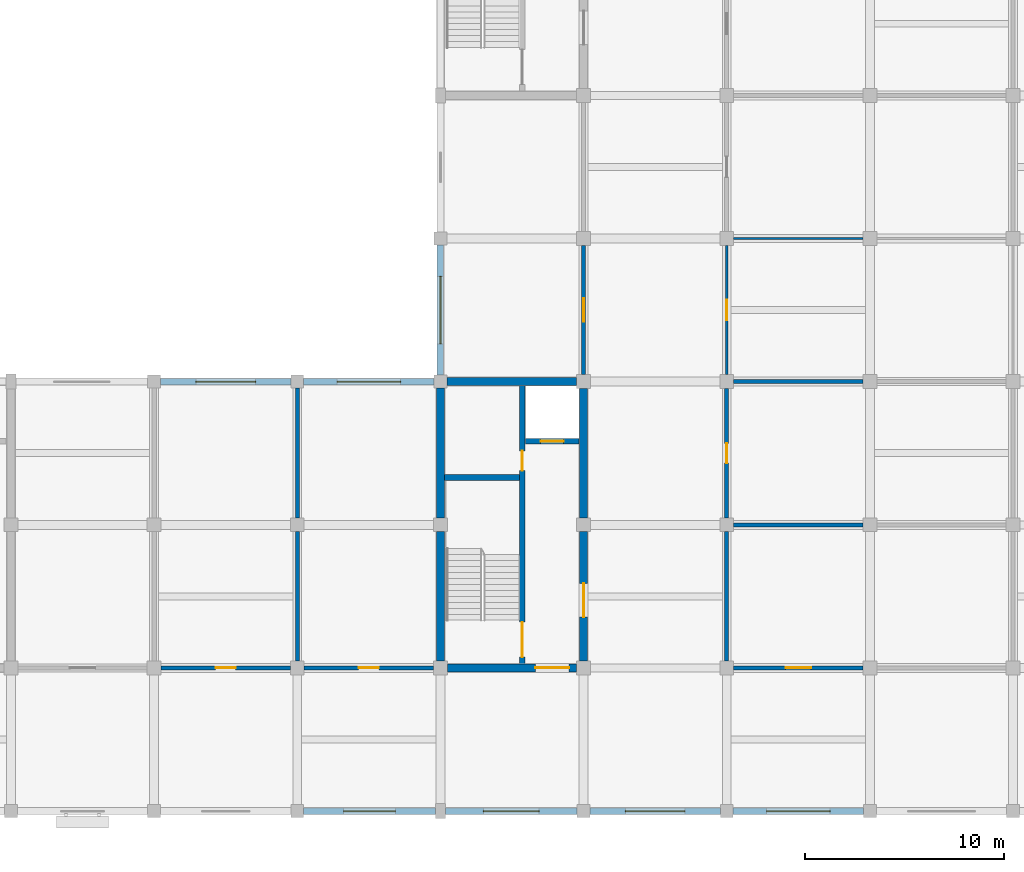
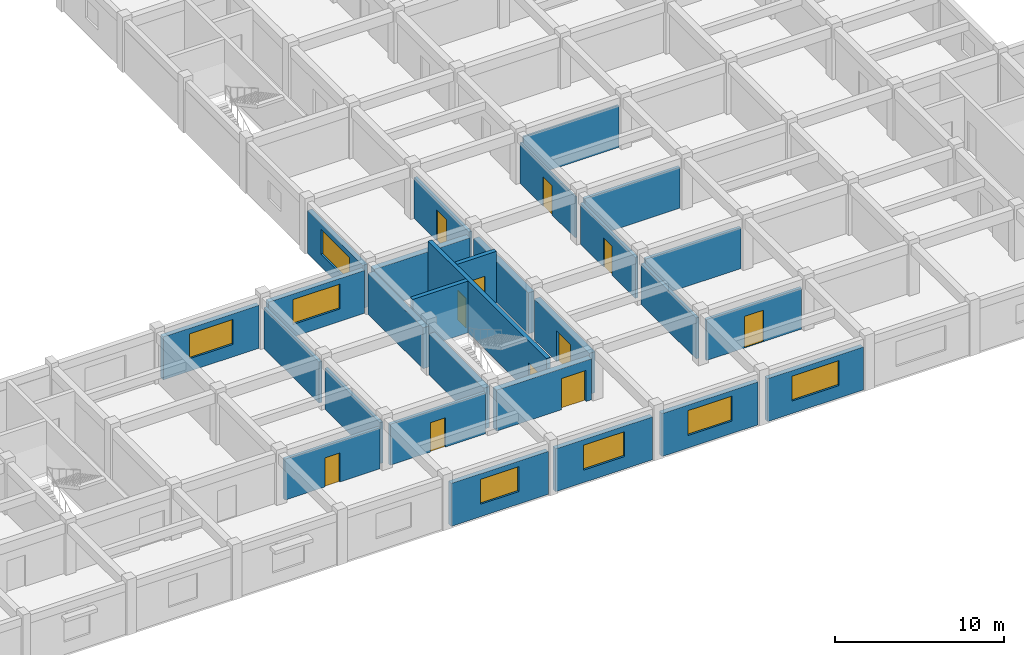
# One storey, part 5 of 11: 28 walls, 11 doors, 7 windows, 18 openings.
"""IFC4 building model written with IfcOpenShell, lengths in metres."""

from ifc_helpers import new_model, si_unit, direction, frame, frame_2d, origin, place, context, subcontext, project, spatial, rectangle, extrude, material, layer, layer_set, type_object, element, fill, save


model = new_model("IFC4")

# Units and contexts
model_context = context("Model", 3, precision=1e-05, world=origin(), true_north=direction((0.0, 1.0)))
body_context = subcontext(model_context, "Body", "Model", "MODEL_VIEW")
ifc_project = project(units=[si_unit("LENGTHUNIT", "METRE"), si_unit("AREAUNIT", "SQUARE_METRE"), si_unit("VOLUMEUNIT", "CUBIC_METRE"), si_unit("PLANEANGLEUNIT", "RADIAN"), si_unit("MASSUNIT", "GRAM", prefix="KILO")], contexts=[model_context])

# Site, building, storey
site_placement = place(None, origin())
site = spatial("IfcSite", under=ifc_project, at=site_placement, CompositionType="ELEMENT")
building_placement = place(site_placement, origin())
building = spatial("IfcBuilding", under=site, at=building_placement, Name="Cendaluz Park School", CompositionType="ELEMENT")
storey_placement = place(building_placement, frame((0.0, 0.0, 26.60009765625)))
storey = spatial("IfcBuildingStorey", under=building, at=storey_placement, Name="L06", CompositionType="ELEMENT", Elevation=26.60009765625)

# Wall, opening, door
ifc_material_1 = material(Name="Gypsum Plasterboard on Cold-Formed Stud", Category="gypsum")
ifc_layer_1 = layer(ifc_material_1, 0.199951171875)
ifc_layer_set_1 = layer_set([ifc_layer_1], Name="Gypsum Plasterboard on Cold-Formed Stud")
wall_type_1 = type_object("IfcWallType", Name="W-AC20", PredefinedType="PARTITIONING", material=ifc_layer_set_1)
wall_1_placement = place(storey_placement, frame((50.75, 14.39990234375, 0.0), z_axis=(0.0, 0.0, 1.0), x_axis=(1.0, 0.0, 0.0)))
wall_1 = element("IfcWall", 1, at=wall_1_placement, inside=storey, type_object=wall_type_1, Name="WL-FG-BO7", PredefinedType="PARTITIONING", context=body_context, shape_type="SweptSolid", body=[
    extrude(rectangle(XDim=6.5, YDim=0.199951171875, at=frame_2d((3.25, 0.0))), origin(), (0.0, 0.0, 1.0), 2.9599609375),
])
opening_1_placement = place(wall_1_placement, frame((2.75, 0.0, 0.0)))
opening_1 = element("IfcOpeningElement", 2, at=opening_1_placement, cuts=wall_1, Name="Opening DCL-01", PredefinedType="OPENING", context=body_context, shape_type="SweptSolid", body=[
    extrude(rectangle(XDim=1.0, YDim=2.10009765625, at=frame_2d((0.5, 1.050048828125))), frame((0.0, 0.112060546875, 0.0), z_axis=(0.0, -1.0, 0.0), x_axis=(1.0, 0.0, 0.0)), (0.0, 0.0, 1.0), 0.223876953125),
])
ifc_material_2 = material(Name="Solid Core Hardwood", Category="wood")
door_type_1 = type_object("IfcDoorType", Name="DCL-01", OperationType="NOTDEFINED", PredefinedType="DOOR", material=ifc_material_2)
door_1_placement = place(opening_1_placement, origin())
door_1 = element("IfcDoor", 3, at=door_1_placement, inside=storey, type_object=door_type_1, Name="D-L06-030", OperationType="SINGLE_SWING_RIGHT", OverallHeight=2.10009765625, OverallWidth=1.0, PredefinedType="DOOR", context=body_context, shape_type="SweptSolid", body=[
    extrude(rectangle(XDim=1.0, YDim=2.10009765625, at=frame_2d((0.5, 1.050048828125))), frame((0.0, 0.02490234375, 0.0), z_axis=(0.0, -1.0, 0.0), x_axis=(1.0, 0.0, 0.0)), (0.0, 0.0, 1.0), 0.050048828125),
])
fill(opening_1, door_1)

# Walls
wall_2_placement = place(storey_placement, frame((57.60009765625, 14.75, 0.0), z_axis=(0.0, 0.0, 1.0), x_axis=(0.0, 1.0, 0.0)))
element("IfcWall", 4, at=wall_2_placement, inside=storey, type_object=wall_type_1, Name="WL-FG-BO8", PredefinedType="PARTITIONING", context=body_context, shape_type="SweptSolid", body=[
    extrude(rectangle(XDim=6.5, YDim=0.199951171875, at=frame_2d((3.25, 0.0))), origin(), (0.0, 0.0, 1.0), 2.9599609375),
])
wall_3_placement = place(storey_placement, frame((57.60009765625, 21.949951171875, 0.0), z_axis=(0.0, 0.0, 1.0), x_axis=(0.0, 1.0, 0.0)))
element("IfcWall", 5, at=wall_3_placement, inside=storey, type_object=wall_type_1, Name="WL-FG-BO9", PredefinedType="PARTITIONING", context=body_context, shape_type="SweptSolid", body=[
    extrude(rectangle(XDim=6.525146484375, YDim=0.199951171875, at=frame_2d((3.2626953125, 0.0))), origin(), (0.0, 0.0, 1.0), 2.9599609375),
])

# Wall, opening, door
wall_4_placement = place(storey_placement, frame((57.949951171875, 14.39990234375, 0.0), z_axis=(0.0, 0.0, 1.0), x_axis=(1.0, 0.0, 0.0)))
wall_4 = element("IfcWall", 6, at=wall_4_placement, inside=storey, type_object=wall_type_1, Name="WL-FG-BP0", PredefinedType="PARTITIONING", context=body_context, shape_type="SweptSolid", body=[
    extrude(rectangle(XDim=6.5, YDim=0.199951171875, at=frame_2d((3.25, 0.0))), origin(), (0.0, 0.0, 1.0), 2.9599609375),
])
opening_2_placement = place(wall_4_placement, frame((2.739990234375, 0.0, 0.0)))
opening_2 = element("IfcOpeningElement", 7, at=opening_2_placement, cuts=wall_4, Name="Opening DCL-02", PredefinedType="OPENING", context=body_context, shape_type="SweptSolid", body=[
    extrude(rectangle(XDim=1.02001953125, YDim=2.1201171875, at=frame_2d((0.510009765625, 1.06005859375))), frame((0.0, 0.112060546875, 0.0), z_axis=(0.0, -1.0, 0.0), x_axis=(1.0, 0.0, 0.0)), (0.0, 0.0, 1.0), 0.223876953125),
])
door_type_2 = type_object("IfcDoorType", Name="DCL-02", OperationType="NOTDEFINED", PredefinedType="DOOR", material=ifc_material_2)
door_2_placement = place(opening_2_placement, origin())
door_2 = element("IfcDoor", 8, at=door_2_placement, inside=storey, type_object=door_type_2, Name="D-L06-031", OperationType="SINGLE_SWING_LEFT", OverallHeight=2.1201171875, OverallWidth=1.02001953125, PredefinedType="DOOR", context=body_context, shape_type="SweptSolid", body=[
    extrude(rectangle(XDim=1.02001953125, YDim=2.1201171875, at=frame_2d((0.510009765625, 1.06005859375))), frame((0.0, 0.02490234375, 0.0), z_axis=(0.0, -1.0, 0.0), x_axis=(1.0, 0.0, 0.0)), (0.0, 0.0, 1.0), 0.050048828125),
])
fill(opening_2, door_2)

wall_5_placement = place(storey_placement, frame((72.0, 29.14990234375, 0.0), z_axis=(0.0, 0.0, 1.0), x_axis=(0.0, 1.0, 0.0)))
wall_5 = element("IfcWall", 9, at=wall_5_placement, inside=storey, type_object=wall_type_1, Name="WL-FG-BQ2", PredefinedType="PARTITIONING", context=body_context, shape_type="SweptSolid", body=[
    extrude(rectangle(XDim=6.5, YDim=0.199951171875, at=frame_2d((3.25, 0.0))), origin(), (0.0, 0.0, 1.0), 2.9599609375),
])
opening_3_placement = place(wall_5_placement, frame((2.64990234375, 0.0, 0.0)))
opening_3 = element("IfcOpeningElement", 10, at=opening_3_placement, cuts=wall_5, Name="Opening DCL-08", PredefinedType="OPENING", context=body_context, shape_type="SweptSolid", body=[
    extrude(rectangle(XDim=1.199951171875, YDim=2.239990234375, at=frame_2d((0.60009765625, 1.1201171875))), frame((0.0, 0.112060546875, 0.0), z_axis=(0.0, -1.0, 0.0), x_axis=(1.0, 0.0, 0.0)), (0.0, 0.0, 1.0), 0.223876953125),
])
door_type_3 = type_object("IfcDoorType", Name="DCL-08", OperationType="NOTDEFINED", PredefinedType="DOOR", material=ifc_material_2)
door_3_placement = place(opening_3_placement, origin())
door_3 = element("IfcDoor", 11, at=door_3_placement, inside=storey, type_object=door_type_3, Name="D-L06-037", OperationType="SINGLE_SWING_LEFT", OverallHeight=2.239990234375, OverallWidth=1.199951171875, PredefinedType="DOOR", context=body_context, shape_type="SweptSolid", body=[
    extrude(rectangle(XDim=1.199951171875, YDim=2.239990234375, at=frame_2d((0.60009765625, 1.1201171875))), frame((0.0, 0.02490234375, 0.0), z_axis=(0.0, -1.0, 0.0), x_axis=(1.0, 0.0, 0.0)), (0.0, 0.0, 1.0), 0.050048828125),
])
fill(opening_3, door_3)

wall_6_placement = place(storey_placement, frame((79.550048828125, 14.39990234375, 0.0), z_axis=(0.0, 0.0, 1.0), x_axis=(1.0, 0.0, 0.0)))
wall_6 = element("IfcWall", 12, at=wall_6_placement, inside=storey, type_object=wall_type_1, Name="WL-FG-BQ5", PredefinedType="PARTITIONING", context=body_context, shape_type="SweptSolid", body=[
    extrude(rectangle(XDim=6.5, YDim=0.199951171875, at=frame_2d((3.25, 0.0))), origin(), (0.0, 0.0, 1.0), 2.9599609375),
])
opening_4_placement = place(wall_6_placement, frame((2.610107421875, 0.0, 0.0)))
opening_4 = element("IfcOpeningElement", 13, at=opening_4_placement, cuts=wall_6, Name="Opening DCL-10", PredefinedType="OPENING", context=body_context, shape_type="SweptSolid", body=[
    extrude(rectangle(XDim=1.280029296875, YDim=2.280029296875, at=frame_2d((0.64013671875, 1.14013671875))), frame((0.0, 0.112060546875, 0.0), z_axis=(0.0, -1.0, 0.0), x_axis=(1.0, 0.0, 0.0)), (0.0, 0.0, 1.0), 0.223876953125),
])
door_type_4 = type_object("IfcDoorType", Name="DCL-10", OperationType="NOTDEFINED", PredefinedType="DOOR", material=ifc_material_2)
door_4_placement = place(opening_4_placement, origin())
door_4 = element("IfcDoor", 14, at=door_4_placement, inside=storey, type_object=door_type_4, Name="D-L06-039", OperationType="SINGLE_SWING_LEFT", OverallHeight=2.280029296875, OverallWidth=1.280029296875, PredefinedType="DOOR", context=body_context, shape_type="SweptSolid", body=[
    extrude(rectangle(XDim=1.280029296875, YDim=2.280029296875, at=frame_2d((0.64013671875, 1.14013671875))), frame((0.0, 0.02490234375, 0.0), z_axis=(0.0, -1.0, 0.0), x_axis=(1.0, 0.0, 0.0)), (0.0, 0.0, 1.0), 0.050048828125),
])
fill(opening_4, door_4)

# Walls
for number, where, z_axis, x_axis, name in (
    (15, (79.550048828125, 21.60009765625, 0.0), (0.0, 0.0, 1.0), (1.0, 0.0, 0.0), "WL-FG-BQ6"),
    (16, (79.199951171875, 14.75, 0.0), (0.0, 0.0, 1.0), (0.0, 1.0, 0.0), "WL-FG-BQ7"),
    (17, (79.550048828125, 28.800048828125, 0.0), (0.0, 0.0, 1.0), (1.0, 0.0, 0.0), "WL-FG-BR1"),
):
    element("IfcWall", number, at=place(storey_placement, frame(where, z_axis=z_axis, x_axis=x_axis)), inside=storey, type_object=wall_type_1, Name=name, PredefinedType="PARTITIONING", context=body_context, shape_type="SweptSolid", body=[
        extrude(rectangle(XDim=6.5, YDim=0.199951171875, at=frame_2d((3.25, 0.0))), origin(), (0.0, 0.0, 1.0), 2.9599609375),
    ])

# Wall, opening, door
wall_7_placement = place(storey_placement, frame((79.199951171875, 21.949951171875, 0.0), z_axis=(0.0, 0.0, 1.0), x_axis=(0.0, 1.0, 0.0)))
wall_7 = element("IfcWall", 18, at=wall_7_placement, inside=storey, type_object=wall_type_1, Name="WL-FG-BR2", PredefinedType="PARTITIONING", context=body_context, shape_type="SweptSolid", body=[
    extrude(rectangle(XDim=6.5, YDim=0.199951171875, at=frame_2d((3.25, 0.0))), origin(), (0.0, 0.0, 1.0), 2.9599609375),
])
opening_5_placement = place(wall_7_placement, frame((2.75, 0.0, 0.0)))
opening_5 = element("IfcOpeningElement", 19, at=opening_5_placement, cuts=wall_7, Name="Opening DCL-01", PredefinedType="OPENING", context=body_context, shape_type="SweptSolid", body=[
    extrude(rectangle(XDim=1.0, YDim=2.10009765625, at=frame_2d((0.5, 1.050048828125))), frame((0.0, 0.112060546875, 0.0), z_axis=(0.0, -1.0, 0.0), x_axis=(1.0, 0.0, 0.0)), (0.0, 0.0, 1.0), 0.223876953125),
])
door_5_placement = place(opening_5_placement, frame((1.0, 0.0, 0.0), z_axis=(0.0, 0.0, 1.0), x_axis=(-1.0, 0.0, 0.0)))
door_5 = element("IfcDoor", 20, at=door_5_placement, inside=storey, type_object=door_type_1, Name="D-L06-040", OperationType="SINGLE_SWING_RIGHT", OverallHeight=2.10009765625, OverallWidth=1.0, PredefinedType="DOOR", context=body_context, shape_type="SweptSolid", body=[
    extrude(rectangle(XDim=1.0, YDim=2.10009765625, at=frame_2d((0.5, 1.050048828125))), frame((0.0, 0.02490234375, 0.0), z_axis=(0.0, -1.0, 0.0), x_axis=(1.0, 0.0, 0.0)), (0.0, 0.0, 1.0), 0.050048828125),
])
fill(opening_5, door_5)

# Wall, opening, window
ifc_material_3 = material(Name="Concrete C40/50 precast", Category="concrete")
ifc_layer_2 = layer(ifc_material_3, 0.320068359375)
ifc_layer_set_2 = layer_set([ifc_layer_2], Name="Concrete C40/50 precast")
wall_type_2 = type_object("IfcWallType", Name="W-EX32", PredefinedType="SOLIDWALL", material=ifc_layer_set_2)
wall_8_placement = place(storey_placement, frame((50.72509765625, 28.800048828125, 0.0), z_axis=(0.0, 0.0, 1.0), x_axis=(1.0, 0.0, 0.0)))
wall_8 = element("IfcWall", 21, at=wall_8_placement, inside=storey, type_object=wall_type_2, Name="WL-FG-AB1", PredefinedType="SOLIDWALL", context=body_context, shape_type="SweptSolid", body=[
    extrude(rectangle(XDim=6.5498046875, YDim=0.320068359375, at=frame_2d((3.27490234375, 0.0))), origin(), (0.0, 0.0, 1.0), 3.099853515625),
])
opening_6_placement = place(wall_8_placement, frame((1.77490234375, 0.0, 0.89990234375)))
opening_6 = element("IfcOpeningElement", 22, at=opening_6_placement, cuts=wall_8, Name="Opening WN-07", PredefinedType="OPENING", context=body_context, shape_type="SweptSolid", body=[
    extrude(rectangle(XDim=3.0, YDim=1.800048828125, at=frame_2d((1.5, 0.89990234375))), frame((0.0, 0.172119140625, 0.0), z_axis=(0.0, -1.0, 0.0), x_axis=(1.0, 0.0, 0.0)), (0.0, 0.0, 1.0), 0.343994140625),
])
ifc_material_4 = material(Name="Tempered Low-E Double Glazing", Category="glass")
window_type_1 = type_object("IfcWindowType", Name="WN-07", PartitioningType="SINGLE_PANEL", PredefinedType="WINDOW", material=ifc_material_4)
window_1_placement = place(opening_6_placement, origin())
window_1 = element("IfcWindow", 23, at=window_1_placement, inside=storey, type_object=window_type_1, Name="WN-L06-012", OverallHeight=1.800048828125, OverallWidth=3.0, PartitioningType="SINGLE_PANEL", PredefinedType="WINDOW", context=body_context, shape_type="SweptSolid", body=[
    extrude(rectangle(XDim=3.0, YDim=1.800048828125, at=frame_2d((1.5, 0.89990234375))), frame((0.0, 0.030029296875, 0.0), z_axis=(0.0, -1.0, 0.0), x_axis=(1.0, 0.0, 0.0)), (0.0, 0.0, 1.0), 0.06005859375),
])
fill(opening_6, window_1)

wall_9_placement = place(storey_placement, frame((57.925048828125, 7.199951171875, 0.0), z_axis=(0.0, 0.0, 1.0), x_axis=(1.0, 0.0, 0.0)))
wall_9 = element("IfcWall", 24, at=wall_9_placement, inside=storey, type_object=wall_type_2, Name="WL-FG-AB2", PredefinedType="SOLIDWALL", context=body_context, shape_type="SweptSolid", body=[
    extrude(rectangle(XDim=6.625, YDim=0.320068359375, at=frame_2d((3.3125, 0.0))), origin(), (0.0, 0.0, 1.0), 3.099853515625),
])
opening_7_placement = place(wall_9_placement, frame((2.012451171875, 0.0, 0.89990234375)))
opening_7 = element("IfcOpeningElement", 25, at=opening_7_placement, cuts=wall_9, Name="Opening WN-05", PredefinedType="OPENING", context=body_context, shape_type="SweptSolid", body=[
    extrude(rectangle(XDim=2.60009765625, YDim=1.800048828125, at=frame_2d((1.300048828125, 0.89990234375))), frame((0.0, 0.172119140625, 0.0), z_axis=(0.0, -1.0, 0.0), x_axis=(1.0, 0.0, 0.0)), (0.0, 0.0, 1.0), 0.343994140625),
])
window_type_2 = type_object("IfcWindowType", Name="WN-05", PartitioningType="SINGLE_PANEL", PredefinedType="WINDOW", material=ifc_material_4)
window_2_placement = place(opening_7_placement, origin())
window_2 = element("IfcWindow", 26, at=window_2_placement, inside=storey, type_object=window_type_2, Name="WN-L06-013", OverallHeight=1.800048828125, OverallWidth=2.60009765625, PartitioningType="SINGLE_PANEL", PredefinedType="WINDOW", context=body_context, shape_type="SweptSolid", body=[
    extrude(rectangle(XDim=2.60009765625, YDim=1.800048828125, at=frame_2d((1.300048828125, 0.89990234375))), frame((0.0, 0.030029296875, 0.0), z_axis=(0.0, -1.0, 0.0), x_axis=(1.0, 0.0, 0.0)), (0.0, 0.0, 1.0), 0.06005859375),
])
fill(opening_7, window_2)

wall_10_placement = place(storey_placement, frame((57.925048828125, 28.800048828125, 0.0), z_axis=(0.0, 0.0, 1.0), x_axis=(1.0, 0.0, 0.0)))
wall_10 = element("IfcWall", 27, at=wall_10_placement, inside=storey, type_object=wall_type_2, Name="WL-FG-AB3", PredefinedType="SOLIDWALL", context=body_context, shape_type="SweptSolid", body=[
    extrude(rectangle(XDim=6.550048828125, YDim=0.320068359375, at=frame_2d((3.27490234375, 0.0))), origin(), (0.0, 0.0, 1.0), 3.099853515625),
])
opening_8_placement = place(wall_10_placement, frame((1.675048828125, 0.0, 0.89990234375)))
opening_8 = element("IfcOpeningElement", 28, at=opening_8_placement, cuts=wall_10, Name="Opening WN-08", PredefinedType="OPENING", context=body_context, shape_type="SweptSolid", body=[
    extrude(rectangle(XDim=3.199951171875, YDim=1.800048828125, at=frame_2d((1.60009765625, 0.89990234375))), frame((0.0, 0.172119140625, 0.0), z_axis=(0.0, -1.0, 0.0), x_axis=(1.0, 0.0, 0.0)), (0.0, 0.0, 1.0), 0.343994140625),
])
window_type_3 = type_object("IfcWindowType", Name="WN-08", PartitioningType="SINGLE_PANEL", PredefinedType="WINDOW", material=ifc_material_4)
window_3_placement = place(opening_8_placement, origin())
window_3 = element("IfcWindow", 29, at=window_3_placement, inside=storey, type_object=window_type_3, Name="WN-L06-014", OverallHeight=1.800048828125, OverallWidth=3.199951171875, PartitioningType="SINGLE_PANEL", PredefinedType="WINDOW", context=body_context, shape_type="SweptSolid", body=[
    extrude(rectangle(XDim=3.199951171875, YDim=1.800048828125, at=frame_2d((1.60009765625, 0.89990234375))), frame((0.0, 0.030029296875, 0.0), z_axis=(0.0, -1.0, 0.0), x_axis=(1.0, 0.0, 0.0)), (0.0, 0.0, 1.0), 0.06005859375),
])
fill(opening_8, window_3)

wall_11_placement = place(storey_placement, frame((65.050048828125, 7.199951171875, 0.0), z_axis=(0.0, 0.0, 1.0), x_axis=(1.0, 0.0, 0.0)))
wall_11 = element("IfcWall", 30, at=wall_11_placement, inside=storey, type_object=wall_type_2, Name="WL-FG-AB4", PredefinedType="SOLIDWALL", context=body_context, shape_type="SweptSolid", body=[
    extrude(rectangle(XDim=6.625, YDim=0.320068359375, at=frame_2d((3.3125, 0.0))), origin(), (0.0, 0.0, 1.0), 3.099853515625),
])
opening_9_placement = place(wall_11_placement, frame((1.91259765625, 0.0, 0.89990234375)))
opening_9 = element("IfcOpeningElement", 31, at=opening_9_placement, cuts=wall_11, Name="Opening WN-06", PredefinedType="OPENING", context=body_context, shape_type="SweptSolid", body=[
    extrude(rectangle(XDim=2.800048828125, YDim=1.800048828125, at=frame_2d((1.39990234375, 0.89990234375))), frame((0.0, 0.172119140625, 0.0), z_axis=(0.0, -1.0, 0.0), x_axis=(1.0, 0.0, 0.0)), (0.0, 0.0, 1.0), 0.343994140625),
])
window_type_4 = type_object("IfcWindowType", Name="WN-06", PartitioningType="SINGLE_PANEL", PredefinedType="WINDOW", material=ifc_material_4)
window_4_placement = place(opening_9_placement, origin())
window_4 = element("IfcWindow", 32, at=window_4_placement, inside=storey, type_object=window_type_4, Name="WN-L06-015", OverallHeight=1.800048828125, OverallWidth=2.800048828125, PartitioningType="SINGLE_PANEL", PredefinedType="WINDOW", context=body_context, shape_type="SweptSolid", body=[
    extrude(rectangle(XDim=2.800048828125, YDim=1.800048828125, at=frame_2d((1.39990234375, 0.89990234375))), frame((0.0, 0.030029296875, 0.0), z_axis=(0.0, -1.0, 0.0), x_axis=(1.0, 0.0, 0.0)), (0.0, 0.0, 1.0), 0.06005859375),
])
fill(opening_9, window_4)

wall_12_placement = place(storey_placement, frame((64.800048828125, 29.125, 0.0), z_axis=(0.0, 0.0, 1.0), x_axis=(0.0, 1.0, 0.0)))
wall_12 = element("IfcWall", 33, at=wall_12_placement, inside=storey, type_object=wall_type_2, Name="WL-FG-AB5", PredefinedType="SOLIDWALL", context=body_context, shape_type="SweptSolid", body=[
    extrude(rectangle(XDim=6.550048828125, YDim=0.320068359375, at=frame_2d((3.27490234375, 0.0))), origin(), (0.0, 0.0, 1.0), 3.099853515625),
])
opening_10_placement = place(wall_12_placement, frame((1.574951171875, 0.0, 0.89990234375)))
opening_10 = element("IfcOpeningElement", 34, at=opening_10_placement, cuts=wall_12, Name="Opening WN-09", PredefinedType="OPENING", context=body_context, shape_type="SweptSolid", body=[
    extrude(rectangle(XDim=3.39990234375, YDim=1.800048828125, at=frame_2d((1.699951171875, 0.89990234375))), frame((0.0, 0.172119140625, 0.0), z_axis=(0.0, -1.0, 0.0), x_axis=(1.0, 0.0, 0.0)), (0.0, 0.0, 1.0), 0.343994140625),
])
window_type_5 = type_object("IfcWindowType", Name="WN-09", PartitioningType="SINGLE_PANEL", PredefinedType="WINDOW", material=ifc_material_4)
window_5_placement = place(opening_10_placement, origin())
window_5 = element("IfcWindow", 35, at=window_5_placement, inside=storey, type_object=window_type_5, Name="WN-L06-016", OverallHeight=1.800048828125, OverallWidth=3.39990234375, PartitioningType="SINGLE_PANEL", PredefinedType="WINDOW", context=body_context, shape_type="SweptSolid", body=[
    extrude(rectangle(XDim=3.39990234375, YDim=1.800048828125, at=frame_2d((1.699951171875, 0.89990234375))), frame((0.0, 0.030029296875, 0.0), z_axis=(0.0, -1.0, 0.0), x_axis=(1.0, 0.0, 0.0)), (0.0, 0.0, 1.0), 0.06005859375),
])
fill(opening_10, window_5)

wall_13_placement = place(storey_placement, frame((72.324951171875, 7.199951171875, 0.0), z_axis=(0.0, 0.0, 1.0), x_axis=(1.0, 0.0, 0.0)))
wall_13 = element("IfcWall", 36, at=wall_13_placement, inside=storey, type_object=wall_type_2, Name="WL-FG-AB9", PredefinedType="SOLIDWALL", context=body_context, shape_type="SweptSolid", body=[
    extrude(rectangle(XDim=6.550048828125, YDim=0.320068359375, at=frame_2d((3.27490234375, 0.0))), origin(), (0.0, 0.0, 1.0), 3.099853515625),
])
opening_11_placement = place(wall_13_placement, frame((1.77490234375, 0.0, 0.89990234375)))
opening_11 = element("IfcOpeningElement", 37, at=opening_11_placement, cuts=wall_13, Name="Opening WN-07", PredefinedType="OPENING", context=body_context, shape_type="SweptSolid", body=[
    extrude(rectangle(XDim=3.0, YDim=1.800048828125, at=frame_2d((1.5, 0.89990234375))), frame((0.0, 0.172119140625, 0.0), z_axis=(0.0, -1.0, 0.0), x_axis=(1.0, 0.0, 0.0)), (0.0, 0.0, 1.0), 0.343994140625),
])
window_6_placement = place(opening_11_placement, origin())
window_6 = element("IfcWindow", 38, at=window_6_placement, inside=storey, type_object=window_type_1, Name="WN-L06-020", OverallHeight=1.800048828125, OverallWidth=3.0, PartitioningType="SINGLE_PANEL", PredefinedType="WINDOW", context=body_context, shape_type="SweptSolid", body=[
    extrude(rectangle(XDim=3.0, YDim=1.800048828125, at=frame_2d((1.5, 0.89990234375))), frame((0.0, 0.030029296875, 0.0), z_axis=(0.0, -1.0, 0.0), x_axis=(1.0, 0.0, 0.0)), (0.0, 0.0, 1.0), 0.06005859375),
])
fill(opening_11, window_6)

wall_14_placement = place(storey_placement, frame((79.52490234375, 7.199951171875, 0.0), z_axis=(0.0, 0.0, 1.0), x_axis=(1.0, 0.0, 0.0)))
wall_14 = element("IfcWall", 39, at=wall_14_placement, inside=storey, type_object=wall_type_2, Name="WL-FG-AC1", PredefinedType="SOLIDWALL", context=body_context, shape_type="SweptSolid", body=[
    extrude(rectangle(XDim=6.550048828125, YDim=0.320068359375, at=frame_2d((3.27490234375, 0.0))), origin(), (0.0, 0.0, 1.0), 3.099853515625),
])
opening_12_placement = place(wall_14_placement, frame((1.675048828125, 0.0, 0.89990234375)))
opening_12 = element("IfcOpeningElement", 40, at=opening_12_placement, cuts=wall_14, Name="Opening WN-08", PredefinedType="OPENING", context=body_context, shape_type="SweptSolid", body=[
    extrude(rectangle(XDim=3.199951171875, YDim=1.800048828125, at=frame_2d((1.60009765625, 0.89990234375))), frame((0.0, 0.172119140625, 0.0), z_axis=(0.0, -1.0, 0.0), x_axis=(1.0, 0.0, 0.0)), (0.0, 0.0, 1.0), 0.343994140625),
])
window_7_placement = place(opening_12_placement, origin())
window_7 = element("IfcWindow", 41, at=window_7_placement, inside=storey, type_object=window_type_3, Name="WN-L06-022", OverallHeight=1.800048828125, OverallWidth=3.199951171875, PartitioningType="SINGLE_PANEL", PredefinedType="WINDOW", context=body_context, shape_type="SweptSolid", body=[
    extrude(rectangle(XDim=3.199951171875, YDim=1.800048828125, at=frame_2d((1.60009765625, 0.89990234375))), frame((0.0, 0.030029296875, 0.0), z_axis=(0.0, -1.0, 0.0), x_axis=(1.0, 0.0, 0.0)), (0.0, 0.0, 1.0), 0.06005859375),
])
fill(opening_12, window_7)

# Wall, openings, doors
ifc_material_5 = material(Name="Concrete C40/50", Category="concrete")
ifc_layer_3 = layer(ifc_material_5, 0.280029296875)
ifc_layer_set_3 = layer_set([ifc_layer_3], Name="Concrete C40/50")
wall_type_3 = type_object("IfcWallType", Name="W-FW28", PredefinedType="SHEAR", material=ifc_layer_set_3)
wall_15_placement = place(storey_placement, frame((68.919921875, 14.60009765625, 0.0), z_axis=(0.0, 0.0, 1.0), x_axis=(0.0, 1.0, 0.0)))
wall_15 = element("IfcWall", 42, at=wall_15_placement, inside=storey, type_object=wall_type_3, Name="WL-FG-BJ2", PredefinedType="SHEAR", context=body_context, shape_type="SweptSolid", body=[
    extrude(rectangle(XDim=14.0, YDim=0.280029296875, at=frame_2d((7.0, 0.0))), origin(), (0.0, 0.0, 1.0), 3.72998046875),
])
opening_13_placement = place(wall_15_placement, frame((0.35009765625, 0.0, 0.0)))
opening_13 = element("IfcOpeningElement", 43, at=opening_13_placement, cuts=wall_15, Name="Opening DST-03", PredefinedType="OPENING", context=body_context, shape_type="SweptSolid", body=[
    extrude(rectangle(XDim=1.75, YDim=2.14990234375, at=frame_2d((0.875, 1.074951171875))), frame((0.0, 0.152099609375, 0.0), z_axis=(0.0, -1.0, 0.0), x_axis=(1.0, 0.0, 0.0)), (0.0, 0.0, 1.0), 0.303955078125),
])
opening_14_placement = place(wall_15_placement, frame((9.719970703125, 0.0, 0.0)))
opening_14 = element("IfcOpeningElement", 44, at=opening_14_placement, cuts=wall_15, Name="Opening DFC-01", PredefinedType="OPENING", context=body_context, shape_type="SweptSolid", body=[
    extrude(rectangle(XDim=1.0, YDim=2.14990234375, at=frame_2d((0.5, 1.074951171875))), frame((0.0, 0.152099609375, 0.0), z_axis=(0.0, -1.0, 0.0), x_axis=(1.0, 0.0, 0.0)), (0.0, 0.0, 1.0), 0.303955078125),
])
door_type_5 = type_object("IfcDoorType", Name="DFC-01", OperationType="NOTDEFINED", PredefinedType="DOOR", material=ifc_material_2)
door_6_placement = place(opening_14_placement, origin())
door_6 = element("IfcDoor", 45, at=door_6_placement, inside=storey, type_object=door_type_5, Name="D-L06-004", OperationType="SINGLE_SWING_RIGHT", OverallHeight=2.14990234375, OverallWidth=1.0, PredefinedType="DOOR", context=body_context, shape_type="SweptSolid", body=[
    extrude(rectangle(XDim=1.0, YDim=2.14990234375, at=frame_2d((0.5, 1.074951171875))), frame((0.0, 0.02490234375, 0.0), z_axis=(0.0, -1.0, 0.0), x_axis=(1.0, 0.0, 0.0)), (0.0, 0.0, 1.0), 0.050048828125),
])
fill(opening_14, door_6)
door_type_6 = type_object("IfcDoorType", Name="DST-03", OperationType="DOUBLE_DOOR_SINGLE_SWING", PredefinedType="DOOR", material=ifc_material_2)
door_7_placement = place(opening_13_placement, origin())
door_7 = element("IfcDoor", 46, at=door_7_placement, inside=storey, type_object=door_type_6, Name="D-L06-003", OperationType="DOUBLE_DOOR_SINGLE_SWING", OverallHeight=2.14990234375, OverallWidth=1.75, PredefinedType="DOOR", context=body_context, shape_type="SweptSolid", body=[
    extrude(rectangle(XDim=1.75, YDim=2.14990234375, at=frame_2d((0.875, 1.074951171875))), frame((0.0, 0.02490234375, 0.0), z_axis=(0.0, -1.0, 0.0), x_axis=(1.0, 0.0, 0.0)), (0.0, 0.0, 1.0), 0.050048828125),
])
fill(opening_13, door_7)

# Wall
wall_16_placement = place(storey_placement, frame((65.0, 23.97998046875, 0.0), z_axis=(0.0, 0.0, 1.0), x_axis=(1.0, 0.0, 0.0)))
element("IfcWall", 47, at=wall_16_placement, inside=storey, type_object=wall_type_3, Name="WL-FG-BJ3", PredefinedType="SHEAR", context=body_context, shape_type="SweptSolid", body=[
    extrude(rectangle(XDim=3.780029296875, YDim=0.280029296875, at=frame_2d((1.89013671875, 0.0))), origin(), (0.0, 0.0, 1.0), 3.72998046875),
])

# Wall, opening, door
wall_17_placement = place(storey_placement, frame((69.080078125, 25.800048828125, 0.0), z_axis=(0.0, 0.0, 1.0), x_axis=(1.0, 0.0, 0.0)))
wall_17 = element("IfcWall", 48, at=wall_17_placement, inside=storey, type_object=wall_type_3, Name="WL-FG-BJ4", PredefinedType="SHEAR", context=body_context, shape_type="SweptSolid", body=[
    extrude(rectangle(XDim=2.679931640625, YDim=0.280029296875, at=frame_2d((1.33984375, 0.0))), origin(), (0.0, 0.0, 1.0), 3.72998046875),
])
opening_15_placement = place(wall_17_placement, frame((0.764892578125, 0.0, 0.0)))
opening_15 = element("IfcOpeningElement", 49, at=opening_15_placement, cuts=wall_17, Name="Opening LD-01", PredefinedType="OPENING", context=body_context, shape_type="SweptSolid", body=[
    extrude(rectangle(XDim=1.14990234375, YDim=2.199951171875, at=frame_2d((0.574951171875, 1.10009765625))), frame((0.0, 0.152099609375, 0.0), z_axis=(0.0, -1.0, 0.0), x_axis=(1.0, 0.0, 0.0)), (0.0, 0.0, 1.0), 0.303955078125),
])
ifc_material_6 = material(Name="Stainless Steel 316L", Category="steel")
door_type_7 = type_object("IfcDoorType", Name="LD-01", OperationType="DOUBLE_DOOR_SLIDING", PredefinedType="DOOR", material=ifc_material_6)
door_8_placement = place(opening_15_placement, frame((1.14990234375, 0.0, 0.0), z_axis=(0.0, 0.0, 1.0), x_axis=(-1.0, 0.0, 0.0)))
door_8 = element("IfcDoor", 50, at=door_8_placement, inside=storey, type_object=door_type_7, Name="D-L06-005", OperationType="DOUBLE_DOOR_SLIDING", OverallHeight=2.199951171875, OverallWidth=1.14990234375, PredefinedType="DOOR", context=body_context, shape_type="SweptSolid", body=[
    extrude(rectangle(XDim=1.14990234375, YDim=2.199951171875, at=frame_2d((0.574951171875, 1.10009765625))), frame((0.0, 0.02490234375, 0.0), z_axis=(0.0, -1.0, 0.0), x_axis=(1.0, 0.0, 0.0)), (0.0, 0.0, 1.0), 0.050048828125),
])
fill(opening_15, door_8)

# Wall
ifc_layer_4 = layer(ifc_material_1, 0.1201171875)
ifc_layer_set_4 = layer_set([ifc_layer_4], Name="Gypsum Plasterboard on Cold-Formed Stud")
wall_type_4 = type_object("IfcWallType", Name="W-MV12", PredefinedType="MOVABLE", material=ifc_layer_set_4)
wall_18_placement = place(storey_placement, frame((79.550048828125, 36.0, 0.0), z_axis=(0.0, 0.0, 1.0), x_axis=(1.0, 0.0, 0.0)))
element("IfcWall", 51, at=wall_18_placement, inside=storey, type_object=wall_type_4, Name="WL-FG-BR5", PredefinedType="MOVABLE", context=body_context, shape_type="SweptSolid", body=[
    extrude(rectangle(XDim=6.5, YDim=0.1201171875, at=frame_2d((3.25, 0.0))), origin(), (0.0, 0.0, 1.0), 3.02978515625),
])

# Wall, opening, door
wall_19_placement = place(storey_placement, frame((79.199951171875, 29.14990234375, 0.0), z_axis=(0.0, 0.0, 1.0), x_axis=(0.0, 1.0, 0.0)))
wall_19 = element("IfcWall", 52, at=wall_19_placement, inside=storey, type_object=wall_type_4, Name="WL-FG-BR6", PredefinedType="MOVABLE", context=body_context, shape_type="SweptSolid", body=[
    extrude(rectangle(XDim=6.5, YDim=0.1201171875, at=frame_2d((3.25, 0.0))), origin(), (0.0, 0.0, 1.0), 2.9599609375),
])
opening_16_placement = place(wall_19_placement, frame((2.739990234375, 0.0, 0.0)))
opening_16 = element("IfcOpeningElement", 53, at=opening_16_placement, cuts=wall_19, Name="Opening DCL-02", PredefinedType="OPENING", context=body_context, shape_type="SweptSolid", body=[
    extrude(rectangle(XDim=1.02001953125, YDim=2.1201171875, at=frame_2d((0.510009765625, 1.06005859375))), frame((0.0, 0.072021484375, 0.0), z_axis=(0.0, -1.0, 0.0), x_axis=(1.0, 0.0, 0.0)), (0.0, 0.0, 1.0), 0.14404296875),
])
door_9_placement = place(opening_16_placement, frame((1.02001953125, 0.0, 0.0), z_axis=(0.0, 0.0, 1.0), x_axis=(-1.0, 0.0, 0.0)))
door_9 = element("IfcDoor", 54, at=door_9_placement, inside=storey, type_object=door_type_2, Name="D-L06-041", OperationType="SINGLE_SWING_LEFT", OverallHeight=2.1201171875, OverallWidth=1.02001953125, PredefinedType="DOOR", context=body_context, shape_type="SweptSolid", body=[
    extrude(rectangle(XDim=1.02001953125, YDim=2.1201171875, at=frame_2d((0.510009765625, 1.06005859375))), frame((0.0, 0.02490234375, 0.0), z_axis=(0.0, -1.0, 0.0), x_axis=(1.0, 0.0, 0.0)), (0.0, 0.0, 1.0), 0.050048828125),
])
fill(opening_16, door_9)

# Walls
ifc_layer_5 = layer(ifc_material_5, 0.39990234375)
ifc_layer_set_5 = layer_set([ifc_layer_5], Name="Concrete C40/50")
wall_type_5 = type_object("IfcWallType", Name="W-SH40", PredefinedType="SHEAR", material=ifc_layer_set_5)
wall_20_placement = place(storey_placement, frame((64.800048828125, 14.75, 0.0), z_axis=(0.0, 0.0, 1.0), x_axis=(0.0, 1.0, 0.0)))
element("IfcWall", 55, at=wall_20_placement, inside=storey, type_object=wall_type_5, Name="WL-FG-BI6", PredefinedType="SHEAR", context=body_context, shape_type="SweptSolid", body=[
    extrude(rectangle(XDim=6.5, YDim=0.39990234375, at=frame_2d((3.25, 0.0))), origin(), (0.0, 0.0, 1.0), 2.9599609375),
])
wall_21_placement = place(storey_placement, frame((64.800048828125, 21.949951171875, 0.0), z_axis=(0.0, 0.0, 1.0), x_axis=(0.0, 1.0, 0.0)))
element("IfcWall", 56, at=wall_21_placement, inside=storey, type_object=wall_type_5, Name="WL-FG-BI7", PredefinedType="SHEAR", context=body_context, shape_type="SweptSolid", body=[
    extrude(rectangle(XDim=6.525146484375, YDim=0.39990234375, at=frame_2d((3.2626953125, 0.0))), origin(), (0.0, 0.0, 1.0), 2.9599609375),
])

# Wall, opening, door
wall_22_placement = place(storey_placement, frame((72.0, 14.75, 0.0), z_axis=(0.0, 0.0, 1.0), x_axis=(0.0, 1.0, 0.0)))
wall_22 = element("IfcWall", 57, at=wall_22_placement, inside=storey, type_object=wall_type_5, Name="WL-FG-BI8", PredefinedType="SHEAR", context=body_context, shape_type="SweptSolid", body=[
    extrude(rectangle(XDim=6.5, YDim=0.39990234375, at=frame_2d((3.25, 0.0))), origin(), (0.0, 0.0, 1.0), 2.9599609375),
])
opening_17_placement = place(wall_22_placement, frame((2.199951171875, 0.0, 0.0)))
opening_17 = element("IfcOpeningElement", 58, at=opening_17_placement, cuts=wall_22, Name="Opening DLB-02", PredefinedType="OPENING", context=body_context, shape_type="SweptSolid", body=[
    extrude(rectangle(XDim=1.699951171875, YDim=2.25, at=frame_2d((0.85009765625, 1.125))), frame((0.0, 0.2119140625, 0.0), z_axis=(0.0, -1.0, 0.0), x_axis=(1.0, 0.0, 0.0)), (0.0, 0.0, 1.0), 0.423828125),
])
door_type_8 = type_object("IfcDoorType", Name="DLB-02", OperationType="DOUBLE_DOOR_SINGLE_SWING", PredefinedType="DOOR", material=ifc_material_2)
door_10_placement = place(opening_17_placement, origin())
door_10 = element("IfcDoor", 59, at=door_10_placement, inside=storey, type_object=door_type_8, Name="D-L06-001", OperationType="DOUBLE_DOOR_SINGLE_SWING", OverallHeight=2.25, OverallWidth=1.699951171875, PredefinedType="DOOR", context=body_context, shape_type="SweptSolid", body=[
    extrude(rectangle(XDim=1.699951171875, YDim=2.25, at=frame_2d((0.85009765625, 1.125))), frame((0.0, 0.02490234375, 0.0), z_axis=(0.0, -1.0, 0.0), x_axis=(1.0, 0.0, 0.0)), (0.0, 0.0, 1.0), 0.050048828125),
])
fill(opening_17, door_10)

# Wall
wall_23_placement = place(storey_placement, frame((72.0, 21.949951171875, 0.0), z_axis=(0.0, 0.0, 1.0), x_axis=(0.0, 1.0, 0.0)))
element("IfcWall", 60, at=wall_23_placement, inside=storey, type_object=wall_type_5, Name="WL-FG-BI9", PredefinedType="SHEAR", context=body_context, shape_type="SweptSolid", body=[
    extrude(rectangle(XDim=6.5, YDim=0.39990234375, at=frame_2d((3.25, 0.0))), origin(), (0.0, 0.0, 1.0), 2.9599609375),
])

# Wall, opening, door
wall_24_placement = place(storey_placement, frame((65.14990234375, 14.39990234375, 0.0), z_axis=(0.0, 0.0, 1.0), x_axis=(1.0, 0.0, 0.0)))
wall_24 = element("IfcWall", 61, at=wall_24_placement, inside=storey, type_object=wall_type_5, Name="WL-FG-BJ0", PredefinedType="SHEAR", context=body_context, shape_type="SweptSolid", body=[
    extrude(rectangle(XDim=6.5, YDim=0.39990234375, at=frame_2d((3.25, 0.0))), origin(), (0.0, 0.0, 1.0), 2.9599609375),
])
opening_18_placement = place(wall_24_placement, frame((4.419921875, 0.0, 0.0)))
opening_18 = element("IfcOpeningElement", 62, at=opening_18_placement, cuts=wall_24, Name="Opening DLB-02", PredefinedType="OPENING", context=body_context, shape_type="SweptSolid", body=[
    extrude(rectangle(XDim=1.699951171875, YDim=2.25, at=frame_2d((0.85009765625, 1.125))), frame((0.0, 0.2119140625, 0.0), z_axis=(0.0, -1.0, 0.0), x_axis=(1.0, 0.0, 0.0)), (0.0, 0.0, 1.0), 0.423828125),
])
door_11_placement = place(opening_18_placement, origin())
door_11 = element("IfcDoor", 63, at=door_11_placement, inside=storey, type_object=door_type_8, Name="D-L06-002", OperationType="DOUBLE_DOOR_SINGLE_SWING", OverallHeight=2.25, OverallWidth=1.699951171875, PredefinedType="DOOR", context=body_context, shape_type="SweptSolid", body=[
    extrude(rectangle(XDim=1.699951171875, YDim=2.25, at=frame_2d((0.85009765625, 1.125))), frame((0.0, 0.02490234375, 0.0), z_axis=(0.0, -1.0, 0.0), x_axis=(1.0, 0.0, 0.0)), (0.0, 0.0, 1.0), 0.050048828125),
])
fill(opening_18, door_11)

# Wall
wall_25_placement = place(storey_placement, frame((65.125, 28.800048828125, 0.0), z_axis=(0.0, 0.0, 1.0), x_axis=(1.0, 0.0, 0.0)))
element("IfcWall", 64, at=wall_25_placement, inside=storey, type_object=wall_type_5, Name="WL-FG-BJ1", PredefinedType="SHEAR", context=body_context, shape_type="SweptSolid", body=[
    extrude(rectangle(XDim=6.52490234375, YDim=0.39990234375, at=frame_2d((3.262451171875, 0.0))), origin(), (0.0, 0.0, 1.0), 2.9599609375),
])

save(model, "model.ifc")
